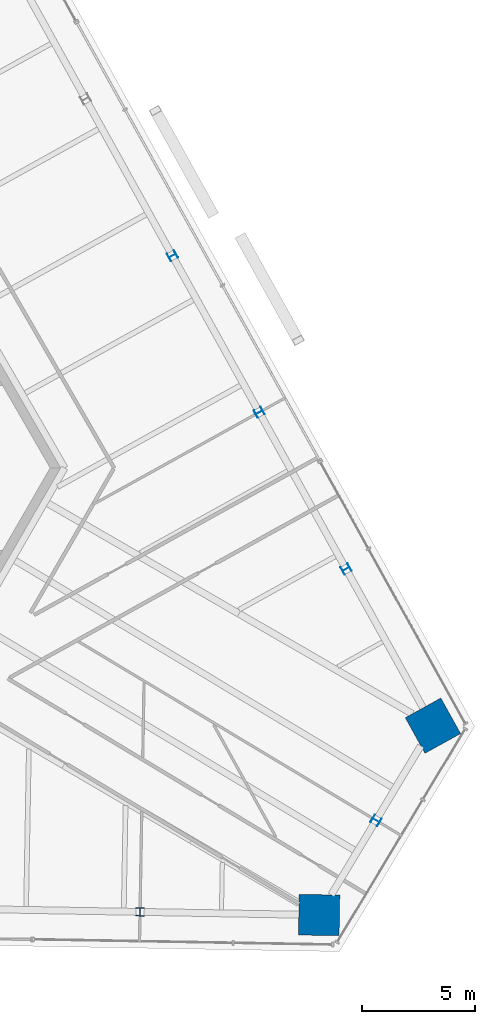
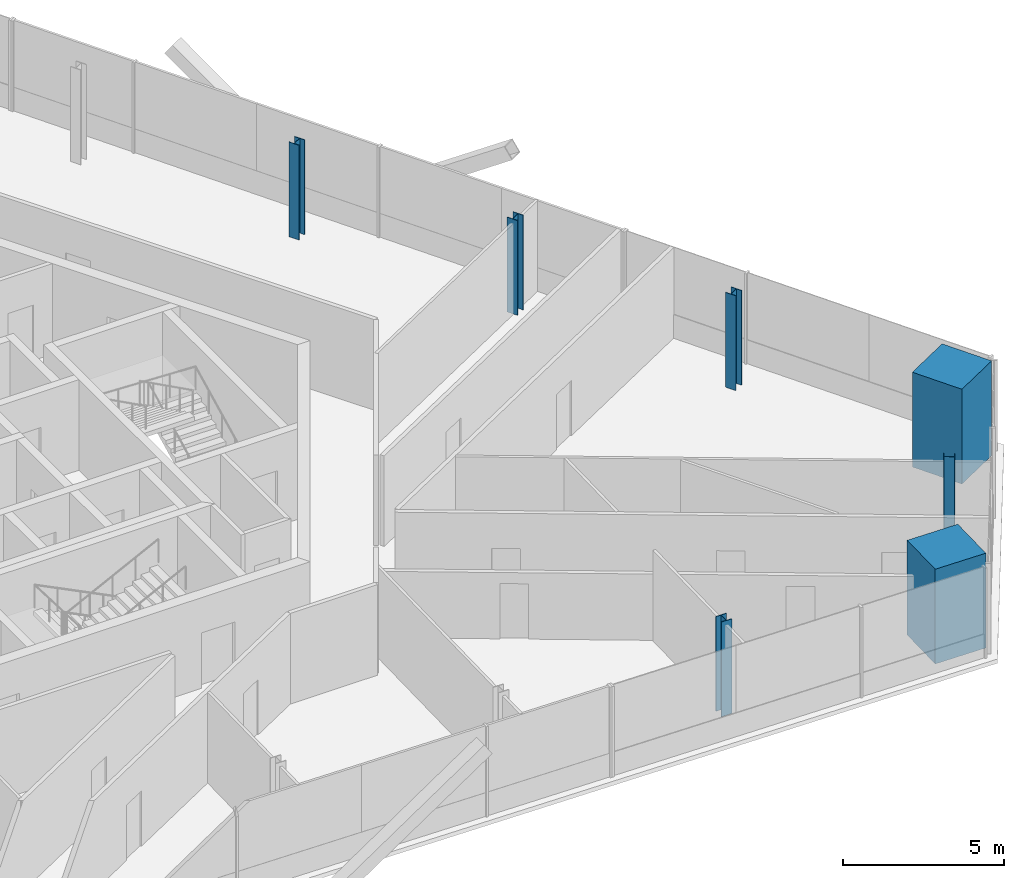
# One storey, part 2 of 18: 7 columns.
"""IFC4 building model written with IfcOpenShell, lengths in metres."""

from ifc_helpers import new_model, si_unit, direction, frame, origin, origin_2d, place, context, subcontext, project, spatial, rectangle, i_section, extrude, source, transform, mapped, material, material_profile, profile_set, type_object, element, save


model = new_model("IFC4")

# Units and contexts
model_context = context("Model", 3, precision=1e-05, world=origin(), true_north=direction((0.0, 1.0)))
body_context = subcontext(model_context, "Body", "Model", "MODEL_VIEW")
ifc_project = project(units=[si_unit("LENGTHUNIT", "METRE"), si_unit("AREAUNIT", "SQUARE_METRE"), si_unit("VOLUMEUNIT", "CUBIC_METRE"), si_unit("PLANEANGLEUNIT", "RADIAN"), si_unit("MASSUNIT", "GRAM", prefix="KILO")], contexts=[model_context])

# Site, building, storey
site_placement = place(None, origin())
site = spatial("IfcSite", under=ifc_project, at=site_placement, CompositionType="ELEMENT")
building_placement = place(site_placement, origin())
building = spatial("IfcBuilding", under=site, at=building_placement, Name="Triune Harvest Tower", CompositionType="ELEMENT")
storey_placement = place(building_placement, frame((0.0, 0.0, 197.89990234375)))
storey = spatial("IfcBuildingStorey", under=building, at=storey_placement, Name="L51", CompositionType="ELEMENT", Elevation=197.89990234375)

# Columns
ifc_material_1 = material(Name="Concrete 70 MPa", Category="concrete")
ifc_material_profile_1 = material_profile(ifc_material_1, rectangle(XDim=1.800048828125, YDim=1.800048828125, at=origin_2d()), Name="Composite 1800x1800")
ifc_profile_set_1 = profile_set([ifc_material_profile_1], Name="Concrete 70 MPa")
column_type_1 = type_object("IfcColumnType", Name="MC-5 Mega column Composite 1800x1800", PredefinedType="COLUMN", material=ifc_profile_set_1)
shared_shape_1 = source(origin(), body_context, "Body", "SweptSolid", [
    extrude(rectangle(XDim=1.800048828125, YDim=1.800048828125, at=origin_2d()), origin(), (0.0, 0.0, 1.0), 3.60009765625),
])
for number, where, z_axis, x_axis, name in (
    (1, (28.475341796875, -11.40673828125, 0.0), (0.0, 0.0, 1.0), (-0.484809620246, 0.874619707139, 0.0), "col/L51/M0"),
    (2, (23.43994140625, -19.787109375, 0.0), (0.0, 0.0, 1.0), (0.999847695156, -0.017452406437, 0.0), "col/L51/M22"),
):
    element("IfcColumn", number, at=place(storey_placement, frame(where, z_axis=z_axis, x_axis=x_axis)), inside=storey, type_object=column_type_1, Name=name, PredefinedType="COLUMN", context=body_context, shape_type="MappedRepresentation", body=[
        mapped(shared_shape_1, transform((0.0, 0.0, 0.0), scale=1.0)),
    ])
ifc_material_2 = material(Name="Steel ASTM A992 Gr 50", Category="steel")
ifc_material_profile_2 = material_profile(ifc_material_2, i_section(OverallWidth=0.370849609375, OverallDepth=0.36328125, WebThickness=0.013427734375, FlangeThickness=0.021728515625, at=origin_2d()), Name="W14x109")
ifc_profile_set_2 = profile_set([ifc_material_profile_2], Name="Steel ASTM A992 Gr 50")
column_type_2 = type_object("IfcColumnType", Name="PC-5 Perimeter column W14x109", PredefinedType="COLUMN", material=ifc_profile_set_2)
shared_shape_2 = source(origin(), body_context, "Body", "SweptSolid", [
    extrude(i_section(OverallWidth=0.370849609375, OverallDepth=0.36328125, WebThickness=0.013427734375, FlangeThickness=0.021728515625, at=origin_2d()), origin(), (0.0, 0.0, 1.0), 3.60009765625),
])
for number, where, z_axis, x_axis, name in (
    (3, (24.632080078125, -4.473388671875, 0.0), (0.0, 0.0, 1.0), (-0.484809620246, 0.874619707139, 0.0), "col/L51/P1"),
    (4, (20.788818359375, 2.459716796875, 0.0), (0.0, 0.0, 1.0), (-0.484809620246, 0.874619707139, 0.0), "col/L51/P2"),
    (5, (16.94580078125, 9.39306640625, 0.0), (0.0, 0.0, 1.0), (-0.484809620246, 0.874619707139, 0.0), "col/L51/P3"),
    (6, (15.513916015625, -19.648681640625, 0.0), (0.0, 0.0, 1.0), (0.999847695156, -0.017452406437, 0.0), "col/L51/P21"),
    (7, (25.95751953125, -15.596923828125, 0.0), (0.0, 0.0, 1.0), (0.515039570948, 0.85716640179, 0.0), "col/L51/P23"),
):
    element("IfcColumn", number, at=place(storey_placement, frame(where, z_axis=z_axis, x_axis=x_axis)), inside=storey, type_object=column_type_2, Name=name, PredefinedType="COLUMN", context=body_context, shape_type="MappedRepresentation", body=[
        mapped(shared_shape_2, transform((0.0, 0.0, 0.0), scale=1.0)),
    ])

save(model, "model.ifc")
